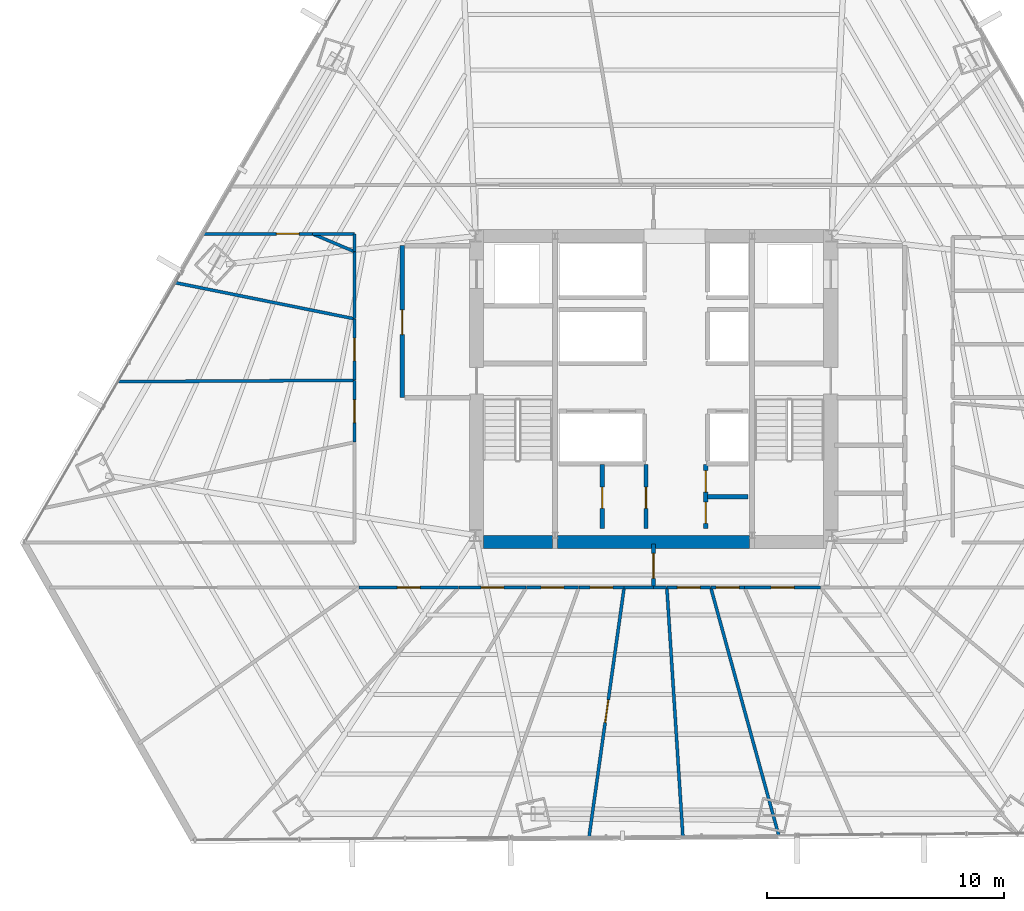
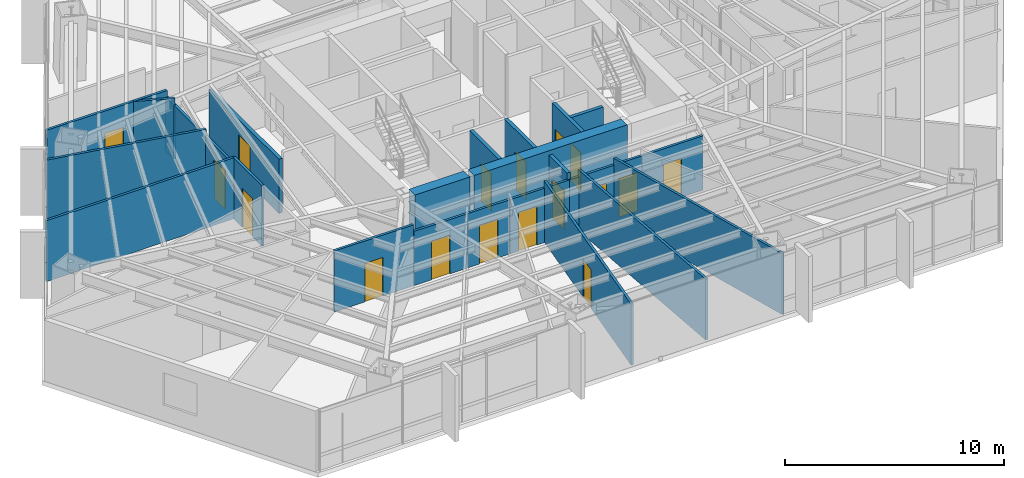
# One storey, part 32 of 38: 29 walls, 17 doors, 17 openings.
"""IFC4 building model written with IfcOpenShell, lengths in metres."""

from ifc_helpers import new_model, si_unit, direction, frame, frame_2d, origin, place, context, subcontext, project, spatial, rectangle, extrude, material, layer, layer_set, type_object, element, fill, save


model = new_model("IFC4")

# Units and contexts
model_context = context("Model", 3, precision=1e-05, world=origin(), true_north=direction((0.0, 1.0)))
body_context = subcontext(model_context, "Body", "Model", "MODEL_VIEW")
ifc_project = project(units=[si_unit("LENGTHUNIT", "METRE"), si_unit("AREAUNIT", "SQUARE_METRE"), si_unit("VOLUMEUNIT", "CUBIC_METRE"), si_unit("PLANEANGLEUNIT", "RADIAN"), si_unit("MASSUNIT", "GRAM", prefix="KILO")], contexts=[model_context])

# Site, building, storey
site_placement = place(None, origin())
site = spatial("IfcSite", under=ifc_project, at=site_placement, CompositionType="ELEMENT")
building_placement = place(site_placement, origin())
building = spatial("IfcBuilding", under=site, at=building_placement, Name="Caelisora Broadcast Tower", CompositionType="ELEMENT")
storey_placement = place(building_placement, frame((0.0, 0.0, 67.75)))
storey = spatial("IfcBuildingStorey", under=building, at=storey_placement, Name="L17", CompositionType="ELEMENT", Elevation=67.75)

# Walls
ifc_material_1 = material(Name="Concrete 65 MPa (AS 3600 S65)", Category="concrete")
ifc_layer_1 = layer(ifc_material_1, 0.550048828125, Name="Concrete 65 MPa (AS 3600 S65)")
ifc_layer_set_1 = layer_set([ifc_layer_1], Name="Concrete 65 MPa (AS 3600 S65)")
wall_type_1 = type_object("IfcWallType", Name="CW4", PredefinedType="SHEAR", material=ifc_layer_set_1)
wall_1_placement = place(storey_placement, frame((30.840087890625, 17.125, 0.0), z_axis=(0.0, 0.0, 1.0), x_axis=(1.0, 0.0, 0.0)))
element("IfcWall", 1, at=wall_1_placement, inside=storey, type_object=wall_type_1, Name="L17 core shear wall CW4", PredefinedType="SHEAR", context=body_context, shape_type="SweptSolid", body=[
    extrude(rectangle(XDim=2.89990234375, YDim=0.550048828125, at=frame_2d((1.449951171875, 0.0))), origin(), (0.0, 0.0, 1.0), 3.64990234375),
])
wall_2_placement = place(storey_placement, frame((33.9599609375, 17.125, 0.0), z_axis=(0.0, 0.0, 1.0), x_axis=(1.0, 0.0, 0.0)))
element("IfcWall", 2, at=wall_2_placement, inside=storey, type_object=wall_type_1, Name="L17 core shear wall CW4", PredefinedType="SHEAR", context=body_context, shape_type="SweptSolid", body=[
    extrude(rectangle(XDim=8.080078125, YDim=0.550048828125, at=frame_2d((4.0400390625, 0.0))), origin(), (0.0, 0.0, 1.0), 3.64990234375),
])

# Wall, opening, door
ifc_material_2 = material(Name="Fire-Rated Gypsum Shaft and Compartment Wall", Category="gypsum")
ifc_layer_2 = layer(ifc_material_2, 0.179931640625, Name="Fire-Rated Gypsum Shaft and Compartment Wall")
ifc_layer_set_2 = layer_set([ifc_layer_2], Name="Fire-Rated Gypsum Shaft and Compartment Wall")
wall_type_2 = type_object("IfcWallType", Name="PW2", PredefinedType="PARTITIONING", material=ifc_layer_set_2)
wall_3_placement = place(storey_placement, frame((27.419921875, 23.199951171875, 0.0), z_axis=(0.0, 0.0, 1.0), x_axis=(0.0, 1.0, 0.0)))
wall_3 = element("IfcWall", 3, at=wall_3_placement, inside=storey, type_object=wall_type_2, Name="L17 fire compartment wall PW2", PredefinedType="PARTITIONING", context=body_context, shape_type="SweptSolid", body=[
    extrude(rectangle(XDim=6.400146484375, YDim=0.179931640625, at=frame_2d((3.2001953125, 0.0))), origin(), (0.0, 0.0, 1.0), 3.0263671875),
])
opening_1_placement = place(wall_3_placement, frame((2.64990234375, 0.0, 0.0)))
opening_1 = element("IfcOpeningElement", 4, at=opening_1_placement, cuts=wall_3, Name="Opening FD02", PredefinedType="OPENING", context=body_context, shape_type="SweptSolid", body=[
    extrude(rectangle(XDim=1.050048828125, YDim=2.14990234375, at=frame_2d((0.52490234375, 1.074951171875))), frame((0.0, 0.10205078125, 0.0), z_axis=(0.0, -1.0, 0.0), x_axis=(1.0, 0.0, 0.0)), (0.0, 0.0, 1.0), 0.203857421875),
])
ifc_material_3 = material(Name="Single-Leaf Steel Fire Lobby Door", Category="steel")
door_type_1 = type_object("IfcDoorType", Name="FD02", OperationType="NOTDEFINED", PredefinedType="DOOR", material=ifc_material_3)
door_1_placement = place(opening_1_placement, origin())
door_1 = element("IfcDoor", 5, at=door_1_placement, inside=storey, type_object=door_type_1, Name="L17 door FD02 (L17-DR-P01D1)", OperationType="SINGLE_SWING_LEFT", OverallHeight=2.14990234375, OverallWidth=1.050048828125, PredefinedType="DOOR", context=body_context, shape_type="SweptSolid", body=[
    extrude(rectangle(XDim=1.050048828125, YDim=2.14990234375, at=frame_2d((0.52490234375, 1.074951171875))), frame((0.0, 0.02490234375, 0.0), z_axis=(0.0, -1.0, 0.0), x_axis=(1.0, 0.0, 0.0)), (0.0, 0.0, 1.0), 0.050048828125),
])
fill(opening_1, door_1)

wall_4_placement = place(storey_placement, frame((35.840087890625, 17.679931640625, 0.0), z_axis=(0.0, 0.0, 1.0), x_axis=(0.0, 1.0, 0.0)))
wall_4 = element("IfcWall", 6, at=wall_4_placement, inside=storey, type_object=wall_type_2, Name="L17 fire compartment wall PW2", PredefinedType="PARTITIONING", context=body_context, shape_type="SweptSolid", body=[
    extrude(rectangle(XDim=2.699951171875, YDim=0.179931640625, at=frame_2d((1.35009765625, 0.0))), origin(), (0.0, 0.0, 1.0), 3.39990234375),
])
opening_2_placement = place(wall_4_placement, frame((0.85009765625, 0.0, 0.0)))
opening_2 = element("IfcOpeningElement", 7, at=opening_2_placement, cuts=wall_4, Name="Opening FD03", PredefinedType="OPENING", context=body_context, shape_type="SweptSolid", body=[
    extrude(rectangle(XDim=0.89990234375, YDim=2.10009765625, at=frame_2d((0.449951171875, 1.050048828125))), frame((0.0, 0.10205078125, 0.0), z_axis=(0.0, -1.0, 0.0), x_axis=(1.0, 0.0, 0.0)), (0.0, 0.0, 1.0), 0.203857421875),
])
ifc_material_4 = material(Name="Single-Leaf Steel Riser Fire Access Door", Category="steel")
door_type_2 = type_object("IfcDoorType", Name="FD03", OperationType="NOTDEFINED", PredefinedType="DOOR", material=ifc_material_4)
door_2_placement = place(opening_2_placement, origin())
door_2 = element("IfcDoor", 8, at=door_2_placement, inside=storey, type_object=door_type_2, Name="L17 door FD03 (L17-DR-P11D1)", OperationType="SINGLE_SWING_LEFT", OverallHeight=2.10009765625, OverallWidth=0.89990234375, PredefinedType="DOOR", context=body_context, shape_type="SweptSolid", body=[
    extrude(rectangle(XDim=0.89990234375, YDim=2.10009765625, at=frame_2d((0.449951171875, 1.050048828125))), frame((0.0, 0.02490234375, 0.0), z_axis=(0.0, -1.0, 0.0), x_axis=(1.0, 0.0, 0.0)), (0.0, 0.0, 1.0), 0.050048828125),
])
fill(opening_2, door_2)

wall_5_placement = place(storey_placement, frame((37.679931640625, 17.679931640625, 0.0), z_axis=(0.0, 0.0, 1.0), x_axis=(0.0, 1.0, 0.0)))
wall_5 = element("IfcWall", 9, at=wall_5_placement, inside=storey, type_object=wall_type_2, Name="L17 fire compartment wall PW2", PredefinedType="PARTITIONING", context=body_context, shape_type="SweptSolid", body=[
    extrude(rectangle(XDim=2.699951171875, YDim=0.179931640625, at=frame_2d((1.35009765625, 0.0))), origin(), (0.0, 0.0, 1.0), 3.39990234375),
])
opening_3_placement = place(wall_5_placement, frame((0.85009765625, 0.0, 0.0)))
opening_3 = element("IfcOpeningElement", 10, at=opening_3_placement, cuts=wall_5, Name="Opening FD03", PredefinedType="OPENING", context=body_context, shape_type="SweptSolid", body=[
    extrude(rectangle(XDim=0.89990234375, YDim=2.10009765625, at=frame_2d((0.449951171875, 1.050048828125))), frame((0.0, 0.10205078125, 0.0), z_axis=(0.0, -1.0, 0.0), x_axis=(1.0, 0.0, 0.0)), (0.0, 0.0, 1.0), 0.203857421875),
])
door_3_placement = place(opening_3_placement, origin())
door_3 = element("IfcDoor", 11, at=door_3_placement, inside=storey, type_object=door_type_2, Name="L17 door FD03 (L17-DR-P12D1)", OperationType="SINGLE_SWING_RIGHT", OverallHeight=2.10009765625, OverallWidth=0.89990234375, PredefinedType="DOOR", context=body_context, shape_type="SweptSolid", body=[
    extrude(rectangle(XDim=0.89990234375, YDim=2.10009765625, at=frame_2d((0.449951171875, 1.050048828125))), frame((0.0, 0.02490234375, 0.0), z_axis=(0.0, -1.0, 0.0), x_axis=(1.0, 0.0, 0.0)), (0.0, 0.0, 1.0), 0.050048828125),
])
fill(opening_3, door_3)

# Wall
wall_6_placement = place(storey_placement, frame((40.280029296875, 19.02001953125, 0.0), z_axis=(0.0, 0.0, 1.0), x_axis=(1.0, 0.0, 0.0)))
element("IfcWall", 12, at=wall_6_placement, inside=storey, type_object=wall_type_2, Name="L17 fire compartment wall PW2", PredefinedType="PARTITIONING", context=body_context, shape_type="SweptSolid", body=[
    extrude(rectangle(XDim=1.699951171875, YDim=0.179931640625, at=frame_2d((0.85009765625, 0.0))), origin(), (0.0, 0.0, 1.0), 3.39990234375),
])

# Wall, openings, doors
wall_7_placement = place(storey_placement, frame((40.199951171875, 17.679931640625, 0.0), z_axis=(0.0, 0.0, 1.0), x_axis=(0.0, 1.0, 0.0)))
wall_7 = element("IfcWall", 13, at=wall_7_placement, inside=storey, type_object=wall_type_2, Name="L17 fire compartment wall PW2", PredefinedType="PARTITIONING", context=body_context, shape_type="SweptSolid", body=[
    extrude(rectangle(XDim=2.699951171875, YDim=0.179931640625, at=frame_2d((1.35009765625, 0.0))), origin(), (0.0, 0.0, 1.0), 3.39990234375),
])
opening_4_placement = place(wall_7_placement, frame((0.219970703125, 0.0, 0.0)))
opening_4 = element("IfcOpeningElement", 14, at=opening_4_placement, cuts=wall_7, Name="Opening FD03", PredefinedType="OPENING", context=body_context, shape_type="SweptSolid", body=[
    extrude(rectangle(XDim=0.89990234375, YDim=2.10009765625, at=frame_2d((0.449951171875, 1.050048828125))), frame((0.0, 0.10205078125, 0.0), z_axis=(0.0, -1.0, 0.0), x_axis=(1.0, 0.0, 0.0)), (0.0, 0.0, 1.0), 0.203857421875),
])
opening_5_placement = place(wall_7_placement, frame((1.5400390625, 0.0, 0.0)))
opening_5 = element("IfcOpeningElement", 15, at=opening_5_placement, cuts=wall_7, Name="Opening FD03", PredefinedType="OPENING", context=body_context, shape_type="SweptSolid", body=[
    extrude(rectangle(XDim=0.89990234375, YDim=2.10009765625, at=frame_2d((0.449951171875, 1.050048828125))), frame((0.0, 0.10205078125, 0.0), z_axis=(0.0, -1.0, 0.0), x_axis=(1.0, 0.0, 0.0)), (0.0, 0.0, 1.0), 0.203857421875),
])
door_4_placement = place(opening_4_placement, origin())
door_4 = element("IfcDoor", 16, at=door_4_placement, inside=storey, type_object=door_type_2, Name="L17 door FD03 (L17-DR-P14D1)", OperationType="SINGLE_SWING_LEFT", OverallHeight=2.10009765625, OverallWidth=0.89990234375, PredefinedType="DOOR", context=body_context, shape_type="SweptSolid", body=[
    extrude(rectangle(XDim=0.89990234375, YDim=2.10009765625, at=frame_2d((0.449951171875, 1.050048828125))), frame((0.0, 0.02490234375, 0.0), z_axis=(0.0, -1.0, 0.0), x_axis=(1.0, 0.0, 0.0)), (0.0, 0.0, 1.0), 0.050048828125),
])
fill(opening_4, door_4)
door_5_placement = place(opening_5_placement, origin())
door_5 = element("IfcDoor", 17, at=door_5_placement, inside=storey, type_object=door_type_2, Name="L17 door FD03 (L17-DR-P14D2)", OperationType="SINGLE_SWING_RIGHT", OverallHeight=2.10009765625, OverallWidth=0.89990234375, PredefinedType="DOOR", context=body_context, shape_type="SweptSolid", body=[
    extrude(rectangle(XDim=0.89990234375, YDim=2.10009765625, at=frame_2d((0.449951171875, 1.050048828125))), frame((0.0, 0.02490234375, 0.0), z_axis=(0.0, -1.0, 0.0), x_axis=(1.0, 0.0, 0.0)), (0.0, 0.0, 1.0), 0.050048828125),
])
fill(opening_5, door_5)

# Wall, opening, door
wall_8_placement = place(storey_placement, frame((38.0, 15.205078125, 0.0), z_axis=(0.0, 0.0, 1.0), x_axis=(0.0, 1.0, 0.0)))
wall_8 = element("IfcWall", 18, at=wall_8_placement, inside=storey, type_object=wall_type_2, Name="L17 fire compartment wall PW2", PredefinedType="PARTITIONING", context=body_context, shape_type="SweptSolid", body=[
    extrude(rectangle(XDim=1.81982421875, YDim=0.179931640625, at=frame_2d((0.909912109375, 0.0))), origin(), (0.0, 0.0, 1.0), 3.39990234375),
])
opening_6_placement = place(wall_8_placement, frame((0.385009765625, 0.0, 0.0)))
opening_6 = element("IfcOpeningElement", 19, at=opening_6_placement, cuts=wall_8, Name="Opening FD02", PredefinedType="OPENING", context=body_context, shape_type="SweptSolid", body=[
    extrude(rectangle(XDim=1.050048828125, YDim=2.14990234375, at=frame_2d((0.52490234375, 1.074951171875))), frame((0.0, 0.10205078125, 0.0), z_axis=(0.0, -1.0, 0.0), x_axis=(1.0, 0.0, 0.0)), (0.0, 0.0, 1.0), 0.203857421875),
])
door_6_placement = place(opening_6_placement, origin())
door_6 = element("IfcDoor", 20, at=door_6_placement, inside=storey, type_object=door_type_1, Name="L17 door FD02 (L17-DR-P73D1)", OperationType="SINGLE_SWING_LEFT", OverallHeight=2.14990234375, OverallWidth=1.050048828125, PredefinedType="DOOR", context=body_context, shape_type="SweptSolid", body=[
    extrude(rectangle(XDim=1.050048828125, YDim=2.14990234375, at=frame_2d((0.52490234375, 1.074951171875))), frame((0.0, 0.02490234375, 0.0), z_axis=(0.0, -1.0, 0.0), x_axis=(1.0, 0.0, 0.0)), (0.0, 0.0, 1.0), 0.050048828125),
])
fill(opening_6, door_6)

# Wall
ifc_material_5 = material(Name="Acoustic Steel-Stud Plasterboard Partition", Category="gypsum")
ifc_layer_3 = layer(ifc_material_5, 0.1298828125, Name="Acoustic Steel-Stud Plasterboard Partition")
ifc_layer_set_3 = layer_set([ifc_layer_3], Name="Acoustic Steel-Stud Plasterboard Partition")
wall_type_3 = type_object("IfcWallType", Name="PW3", PredefinedType="PARTITIONING", material=ifc_layer_set_3)
wall_9_placement = place(storey_placement, frame((40.410888671875, 15.195068359375, 0.0), z_axis=(0.0, 0.0, 1.0), x_axis=(0.264464817882, -0.964395333928, 0.0)))
element("IfcWall", 21, at=wall_9_placement, inside=storey, type_object=wall_type_3, Name="L17 internal partition PW3", PredefinedType="PARTITIONING", context=body_context, shape_type="SweptSolid", body=[
    extrude(rectangle(XDim=10.822021484375, YDim=0.1298828125, at=frame_2d((5.4111328125, 0.0))), origin(), (0.0, 0.0, 1.0), 3.39990234375),
])

# Wall, opening, door
wall_10_placement = place(storey_placement, frame((35.283203125, 4.694091796875, 0.0), z_axis=(0.0, 0.0, 1.0), x_axis=(0.139174401804, 0.990267885919, 0.0)))
wall_10 = element("IfcWall", 22, at=wall_10_placement, inside=storey, type_object=wall_type_3, Name="L17 internal partition PW3", PredefinedType="PARTITIONING", context=body_context, shape_type="SweptSolid", body=[
    extrude(rectangle(XDim=10.604248046875, YDim=0.1298828125, at=frame_2d((5.30224609375, 0.0))), origin(), (0.0, 0.0, 1.0), 3.39990234375),
])
opening_7_placement = place(wall_10_placement, frame((4.8701171875, 0.0, 0.0)))
opening_7 = element("IfcOpeningElement", 23, at=opening_7_placement, cuts=wall_10, Name="Opening D01", PredefinedType="OPENING", context=body_context, shape_type="SweptSolid", body=[
    extrude(rectangle(XDim=0.9599609375, YDim=2.14990234375, at=frame_2d((0.47998046875, 1.074951171875))), frame((0.0, 0.076904296875, 0.0), z_axis=(0.0, -1.0, 0.0), x_axis=(1.0, 0.0, 0.0)), (0.0, 0.0, 1.0), 0.15380859375),
])
ifc_material_6 = material(Name="Solid-Core Timber Acoustic Office Door", Category="wood")
door_type_3 = type_object("IfcDoorType", Name="D01", OperationType="NOTDEFINED", PredefinedType="DOOR", material=ifc_material_6)
door_7_placement = place(opening_7_placement, origin())
door_7 = element("IfcDoor", 24, at=door_7_placement, inside=storey, type_object=door_type_3, Name="L17 door D01 (L17-DR-P47D1)", OperationType="SINGLE_SWING_RIGHT", OverallHeight=2.14990234375, OverallWidth=0.9599609375, PredefinedType="DOOR", context=body_context, shape_type="SweptSolid", body=[
    extrude(rectangle(XDim=0.9599609375, YDim=2.14990234375, at=frame_2d((0.47998046875, 1.074951171875))), frame((0.0, 0.02490234375, 0.0), z_axis=(0.0, -1.0, 0.0), x_axis=(1.0, 0.0, 0.0)), (0.0, 0.0, 1.0), 0.050048828125),
])
fill(opening_7, door_7)

# Walls
wall_11_placement = place(storey_placement, frame((38.56005859375, 15.195068359375, 0.0), z_axis=(0.0, 0.0, 1.0), x_axis=(0.064229769526, -0.997935136523, 0.0)))
element("IfcWall", 25, at=wall_11_placement, inside=storey, type_object=wall_type_3, Name="L17 internal partition PW3", PredefinedType="PARTITIONING", context=body_context, shape_type="SweptSolid", body=[
    extrude(rectangle(XDim=10.490966796875, YDim=0.1298828125, at=frame_2d((5.24560546875, 0.0))), origin(), (0.0, 0.0, 1.0), 3.39990234375),
])
wall_12_placement = place(storey_placement, frame((15.430908203125, 23.87060546875, 0.0), z_axis=(0.0, 0.0, 1.0), x_axis=(0.999982275501, 0.005953879718, 0.0)))
element("IfcWall", 26, at=wall_12_placement, inside=storey, type_object=wall_type_3, Name="L17 internal partition PW3", PredefinedType="PARTITIONING", context=body_context, shape_type="SweptSolid", body=[
    extrude(rectangle(XDim=9.96435546875, YDim=0.1298828125, at=frame_2d((4.982177734375, 0.0))), origin(), (0.0, 0.0, 1.0), 3.39990234375),
])
wall_13_placement = place(storey_placement, frame((17.85693359375, 28.040283203125, 0.0), z_axis=(0.0, 0.0, 1.0), x_axis=(0.980287741663, -0.19757515923, 0.0)))
element("IfcWall", 27, at=wall_13_placement, inside=storey, type_object=wall_type_3, Name="L17 internal partition PW3", PredefinedType="PARTITIONING", context=body_context, shape_type="SweptSolid", body=[
    extrude(rectangle(XDim=7.689697265625, YDim=0.1298828125, at=frame_2d((3.8447265625, 0.0))), origin(), (0.0, 0.0, 1.0), 3.39990234375),
])

# Wall, opening, door
wall_14_placement = place(storey_placement, frame((19.055419921875, 30.10009765625, 0.0), z_axis=(0.0, 0.0, 1.0), x_axis=(1.0, 0.0, 0.0)))
wall_14 = element("IfcWall", 28, at=wall_14_placement, inside=storey, type_object=wall_type_3, Name="L17 internal partition PW3", PredefinedType="PARTITIONING", context=body_context, shape_type="SweptSolid", body=[
    extrude(rectangle(XDim=4.569580078125, YDim=0.1298828125, at=frame_2d((2.28466796875, 0.0))), origin(), (0.0, 0.0, 1.0), 3.39990234375),
])
opening_8_placement = place(wall_14_placement, frame((3.06005859375, 0.0, 0.0)))
opening_8 = element("IfcOpeningElement", 29, at=opening_8_placement, cuts=wall_14, Name="Opening D01", PredefinedType="OPENING", context=body_context, shape_type="SweptSolid", body=[
    extrude(rectangle(XDim=0.9599609375, YDim=2.14990234375, at=frame_2d((0.47998046875, 1.074951171875))), frame((0.0, 0.076904296875, 0.0), z_axis=(0.0, -1.0, 0.0), x_axis=(1.0, 0.0, 0.0)), (0.0, 0.0, 1.0), 0.15380859375),
])
door_8_placement = place(opening_8_placement, origin())
door_8 = element("IfcDoor", 30, at=door_8_placement, inside=storey, type_object=door_type_3, Name="L17 door D01 (L17-DR-P57D1)", OperationType="SINGLE_SWING_LEFT", OverallHeight=2.14990234375, OverallWidth=0.9599609375, PredefinedType="DOOR", context=body_context, shape_type="SweptSolid", body=[
    extrude(rectangle(XDim=0.9599609375, YDim=2.14990234375, at=frame_2d((0.47998046875, 1.074951171875))), frame((0.0, 0.02490234375, 0.0), z_axis=(0.0, -1.0, 0.0), x_axis=(1.0, 0.0, 0.0)), (0.0, 0.0, 1.0), 0.050048828125),
])
fill(opening_8, door_8)

wall_15_placement = place(storey_placement, frame((25.594970703125, 15.199951171875, 0.0), z_axis=(0.0, 0.0, 1.0), x_axis=(1.0, 0.0, 0.0)))
wall_15 = element("IfcWall", 31, at=wall_15_placement, inside=storey, type_object=wall_type_3, Name="L17 internal partition PW3", PredefinedType="PARTITIONING", context=body_context, shape_type="SweptSolid", body=[
    extrude(rectangle(XDim=4.18994140625, YDim=0.1298828125, at=frame_2d((2.094970703125, 0.0))), origin(), (0.0, 0.0, 1.0), 3.39990234375),
])
opening_9_placement = place(wall_15_placement, frame((1.614990234375, 0.0, 0.0)))
opening_9 = element("IfcOpeningElement", 32, at=opening_9_placement, cuts=wall_15, Name="Opening D01", PredefinedType="OPENING", context=body_context, shape_type="SweptSolid", body=[
    extrude(rectangle(XDim=0.9599609375, YDim=2.14990234375, at=frame_2d((0.47998046875, 1.074951171875))), frame((0.0, 0.076904296875, 0.0), z_axis=(0.0, -1.0, 0.0), x_axis=(1.0, 0.0, 0.0)), (0.0, 0.0, 1.0), 0.15380859375),
])
door_9_placement = place(opening_9_placement, origin())
door_9 = element("IfcDoor", 33, at=door_9_placement, inside=storey, type_object=door_type_3, Name="L17 door D01 (L17-DR-P59D1)", OperationType="SINGLE_SWING_RIGHT", OverallHeight=2.14990234375, OverallWidth=0.9599609375, PredefinedType="DOOR", context=body_context, shape_type="SweptSolid", body=[
    extrude(rectangle(XDim=0.9599609375, YDim=2.14990234375, at=frame_2d((0.47998046875, 1.074951171875))), frame((0.0, 0.02490234375, 0.0), z_axis=(0.0, -1.0, 0.0), x_axis=(1.0, 0.0, 0.0)), (0.0, 0.0, 1.0), 0.050048828125),
])
fill(opening_9, door_9)

wall_16_placement = place(storey_placement, frame((41.8349609375, 15.199951171875, 0.0), z_axis=(0.0, 0.0, 1.0), x_axis=(1.0, 0.0, 0.0)))
wall_16 = element("IfcWall", 34, at=wall_16_placement, inside=storey, type_object=wall_type_3, Name="L17 internal partition PW3", PredefinedType="PARTITIONING", context=body_context, shape_type="SweptSolid", body=[
    extrude(rectangle(XDim=3.199951171875, YDim=0.1298828125, at=frame_2d((1.60009765625, 0.0))), origin(), (0.0, 0.0, 1.0), 3.0263671875),
])
opening_10_placement = place(wall_16_placement, frame((1.1201171875, 0.0, 0.0)))
opening_10 = element("IfcOpeningElement", 35, at=opening_10_placement, cuts=wall_16, Name="Opening D01", PredefinedType="OPENING", context=body_context, shape_type="SweptSolid", body=[
    extrude(rectangle(XDim=0.9599609375, YDim=2.14990234375, at=frame_2d((0.47998046875, 1.074951171875))), frame((0.0, 0.076904296875, 0.0), z_axis=(0.0, -1.0, 0.0), x_axis=(1.0, 0.0, 0.0)), (0.0, 0.0, 1.0), 0.15380859375),
])
door_10_placement = place(opening_10_placement, origin())
door_10 = element("IfcDoor", 36, at=door_10_placement, inside=storey, type_object=door_type_3, Name="L17 door D01 (L17-DR-P62D1)", OperationType="SINGLE_SWING_RIGHT", OverallHeight=2.14990234375, OverallWidth=0.9599609375, PredefinedType="DOOR", context=body_context, shape_type="SweptSolid", body=[
    extrude(rectangle(XDim=0.9599609375, YDim=2.14990234375, at=frame_2d((0.47998046875, 1.074951171875))), frame((0.0, 0.02490234375, 0.0), z_axis=(0.0, -1.0, 0.0), x_axis=(1.0, 0.0, 0.0)), (0.0, 0.0, 1.0), 0.050048828125),
])
fill(opening_10, door_10)

wall_17_placement = place(storey_placement, frame((29.794921875, 15.199951171875, 0.0), z_axis=(0.0, 0.0, 1.0), x_axis=(1.0, 0.0, 0.0)))
wall_17 = element("IfcWall", 37, at=wall_17_placement, inside=storey, type_object=wall_type_3, Name="L17 internal partition PW3", PredefinedType="PARTITIONING", context=body_context, shape_type="SweptSolid", body=[
    extrude(rectangle(XDim=2.840087890625, YDim=0.1298828125, at=frame_2d((1.419921875, 0.0))), origin(), (0.0, 0.0, 1.0), 3.0263671875),
])
opening_11_placement = place(wall_17_placement, frame((0.93994140625, 0.0, 0.0)))
opening_11 = element("IfcOpeningElement", 38, at=opening_11_placement, cuts=wall_17, Name="Opening D01", PredefinedType="OPENING", context=body_context, shape_type="SweptSolid", body=[
    extrude(rectangle(XDim=0.9599609375, YDim=2.14990234375, at=frame_2d((0.47998046875, 1.074951171875))), frame((0.0, 0.076904296875, 0.0), z_axis=(0.0, -1.0, 0.0), x_axis=(1.0, 0.0, 0.0)), (0.0, 0.0, 1.0), 0.15380859375),
])
door_11_placement = place(opening_11_placement, origin())
door_11 = element("IfcDoor", 39, at=door_11_placement, inside=storey, type_object=door_type_3, Name="L17 door D01 (L17-DR-P64D1)", OperationType="SINGLE_SWING_LEFT", OverallHeight=2.14990234375, OverallWidth=0.9599609375, PredefinedType="DOOR", context=body_context, shape_type="SweptSolid", body=[
    extrude(rectangle(XDim=0.9599609375, YDim=2.14990234375, at=frame_2d((0.47998046875, 1.074951171875))), frame((0.0, 0.02490234375, 0.0), z_axis=(0.0, -1.0, 0.0), x_axis=(1.0, 0.0, 0.0)), (0.0, 0.0, 1.0), 0.050048828125),
])
fill(opening_11, door_11)

# Wall
wall_18_placement = place(storey_placement, frame((25.39990234375, 26.52490234375, 0.0), z_axis=(0.0, 0.0, 1.0), x_axis=(0.0, 1.0, 0.0)))
element("IfcWall", 40, at=wall_18_placement, inside=storey, type_object=wall_type_3, Name="L17 internal partition PW3", PredefinedType="PARTITIONING", context=body_context, shape_type="SweptSolid", body=[
    extrude(rectangle(XDim=2.820068359375, YDim=0.1298828125, at=frame_2d((1.41015625, 0.0))), origin(), (0.0, 0.0, 1.0), 3.0263671875),
])

# Wall, opening, door
wall_19_placement = place(storey_placement, frame((25.39990234375, 21.324951171875, 0.0), z_axis=(0.0, 0.0, 1.0), x_axis=(0.0, 1.0, 0.0)))
wall_19 = element("IfcWall", 41, at=wall_19_placement, inside=storey, type_object=wall_type_3, Name="L17 internal partition PW3", PredefinedType="PARTITIONING", context=body_context, shape_type="SweptSolid", body=[
    extrude(rectangle(XDim=2.60009765625, YDim=0.1298828125, at=frame_2d((1.300048828125, 0.0))), origin(), (0.0, 0.0, 1.0), 3.39990234375),
])
opening_12_placement = place(wall_19_placement, frame((0.820068359375, 0.0, 0.0)))
opening_12 = element("IfcOpeningElement", 42, at=opening_12_placement, cuts=wall_19, Name="Opening D01", PredefinedType="OPENING", context=body_context, shape_type="SweptSolid", body=[
    extrude(rectangle(XDim=0.9599609375, YDim=2.14990234375, at=frame_2d((0.47998046875, 1.074951171875))), frame((0.0, 0.076904296875, 0.0), z_axis=(0.0, -1.0, 0.0), x_axis=(1.0, 0.0, 0.0)), (0.0, 0.0, 1.0), 0.15380859375),
])
door_12_placement = place(opening_12_placement, origin())
door_12 = element("IfcDoor", 43, at=door_12_placement, inside=storey, type_object=door_type_3, Name="L17 door D01 (L17-DR-P67D1)", OperationType="SINGLE_SWING_LEFT", OverallHeight=2.14990234375, OverallWidth=0.9599609375, PredefinedType="DOOR", context=body_context, shape_type="SweptSolid", body=[
    extrude(rectangle(XDim=0.9599609375, YDim=2.14990234375, at=frame_2d((0.47998046875, 1.074951171875))), frame((0.0, 0.02490234375, 0.0), z_axis=(0.0, -1.0, 0.0), x_axis=(1.0, 0.0, 0.0)), (0.0, 0.0, 1.0), 0.050048828125),
])
fill(opening_12, door_12)

wall_20_placement = place(storey_placement, frame((25.39990234375, 23.93505859375, 0.0), z_axis=(0.0, 0.0, 1.0), x_axis=(0.0, 1.0, 0.0)))
wall_20 = element("IfcWall", 44, at=wall_20_placement, inside=storey, type_object=wall_type_3, Name="L17 internal partition PW3", PredefinedType="PARTITIONING", context=body_context, shape_type="SweptSolid", body=[
    extrude(rectangle(XDim=2.579833984375, YDim=0.1298828125, at=frame_2d((1.2900390625, 0.0))), origin(), (0.0, 0.0, 1.0), 3.0263671875),
])
opening_13_placement = place(wall_20_placement, frame((0.81005859375, 0.0, 0.0)))
opening_13 = element("IfcOpeningElement", 45, at=opening_13_placement, cuts=wall_20, Name="Opening D01", PredefinedType="OPENING", context=body_context, shape_type="SweptSolid", body=[
    extrude(rectangle(XDim=0.9599609375, YDim=2.14990234375, at=frame_2d((0.47998046875, 1.074951171875))), frame((0.0, 0.076904296875, 0.0), z_axis=(0.0, -1.0, 0.0), x_axis=(1.0, 0.0, 0.0)), (0.0, 0.0, 1.0), 0.15380859375),
])
door_13_placement = place(opening_13_placement, origin())
door_13 = element("IfcDoor", 46, at=door_13_placement, inside=storey, type_object=door_type_3, Name="L17 door D01 (L17-DR-P68D1)", OperationType="SINGLE_SWING_RIGHT", OverallHeight=2.14990234375, OverallWidth=0.9599609375, PredefinedType="DOOR", context=body_context, shape_type="SweptSolid", body=[
    extrude(rectangle(XDim=0.9599609375, YDim=2.14990234375, at=frame_2d((0.47998046875, 1.074951171875))), frame((0.0, 0.02490234375, 0.0), z_axis=(0.0, -1.0, 0.0), x_axis=(1.0, 0.0, 0.0)), (0.0, 0.0, 1.0), 0.050048828125),
])
fill(opening_13, door_13)

wall_21_placement = place(storey_placement, frame((32.64501953125, 15.199951171875, 0.0), z_axis=(0.0, 0.0, 1.0), x_axis=(1.0, 0.0, 0.0)))
wall_21 = element("IfcWall", 47, at=wall_21_placement, inside=storey, type_object=wall_type_3, Name="L17 internal partition PW3", PredefinedType="PARTITIONING", context=body_context, shape_type="SweptSolid", body=[
    extrude(rectangle(XDim=2.199951171875, YDim=0.1298828125, at=frame_2d((1.10009765625, 0.0))), origin(), (0.0, 0.0, 1.0), 3.0263671875),
])
opening_14_placement = place(wall_21_placement, frame((0.6201171875, 0.0, 0.0)))
opening_14 = element("IfcOpeningElement", 48, at=opening_14_placement, cuts=wall_21, Name="Opening D01", PredefinedType="OPENING", context=body_context, shape_type="SweptSolid", body=[
    extrude(rectangle(XDim=0.9599609375, YDim=2.14990234375, at=frame_2d((0.47998046875, 1.074951171875))), frame((0.0, 0.076904296875, 0.0), z_axis=(0.0, -1.0, 0.0), x_axis=(1.0, 0.0, 0.0)), (0.0, 0.0, 1.0), 0.15380859375),
])
door_14_placement = place(opening_14_placement, origin())
door_14 = element("IfcDoor", 49, at=door_14_placement, inside=storey, type_object=door_type_3, Name="L17 door D01 (L17-DR-P70D1)", OperationType="SINGLE_SWING_LEFT", OverallHeight=2.14990234375, OverallWidth=0.9599609375, PredefinedType="DOOR", context=body_context, shape_type="SweptSolid", body=[
    extrude(rectangle(XDim=0.9599609375, YDim=2.14990234375, at=frame_2d((0.47998046875, 1.074951171875))), frame((0.0, 0.02490234375, 0.0), z_axis=(0.0, -1.0, 0.0), x_axis=(1.0, 0.0, 0.0)), (0.0, 0.0, 1.0), 0.050048828125),
])
fill(opening_14, door_14)

# Wall
wall_22_placement = place(storey_placement, frame((23.635009765625, 30.097900390625, 0.0), z_axis=(0.0, 0.0, 1.0), x_axis=(0.920736167048, -0.390185738706, 0.0)))
element("IfcWall", 50, at=wall_22_placement, inside=storey, type_object=wall_type_3, Name="L17 internal partition PW3", PredefinedType="PARTITIONING", context=body_context, shape_type="SweptSolid", body=[
    extrude(rectangle(XDim=1.91162109375, YDim=0.1298828125, at=frame_2d((0.955810546875, 0.0))), origin(), (0.0, 0.0, 1.0), 3.39990234375),
])

# Wall, opening, door
wall_23_placement = place(storey_placement, frame((34.85498046875, 15.199951171875, 0.0), z_axis=(0.0, 0.0, 1.0), x_axis=(1.0, 0.0, 0.0)))
wall_23 = element("IfcWall", 51, at=wall_23_placement, inside=storey, type_object=wall_type_3, Name="L17 internal partition PW3", PredefinedType="PARTITIONING", context=body_context, shape_type="SweptSolid", body=[
    extrude(rectangle(XDim=1.89990234375, YDim=0.1298828125, at=frame_2d((0.949951171875, 0.0))), origin(), (0.0, 0.0, 1.0), 3.0263671875),
])
opening_15_placement = place(wall_23_placement, frame((0.469970703125, 0.0, 0.0)))
opening_15 = element("IfcOpeningElement", 52, at=opening_15_placement, cuts=wall_23, Name="Opening D01", PredefinedType="OPENING", context=body_context, shape_type="SweptSolid", body=[
    extrude(rectangle(XDim=0.9599609375, YDim=2.14990234375, at=frame_2d((0.47998046875, 1.074951171875))), frame((0.0, 0.076904296875, 0.0), z_axis=(0.0, -1.0, 0.0), x_axis=(1.0, 0.0, 0.0)), (0.0, 0.0, 1.0), 0.15380859375),
])
door_15_placement = place(opening_15_placement, origin())
door_15 = element("IfcDoor", 53, at=door_15_placement, inside=storey, type_object=door_type_3, Name="L17 door D01 (L17-DR-P72D1)", OperationType="SINGLE_SWING_RIGHT", OverallHeight=2.14990234375, OverallWidth=0.9599609375, PredefinedType="DOOR", context=body_context, shape_type="SweptSolid", body=[
    extrude(rectangle(XDim=0.9599609375, YDim=2.14990234375, at=frame_2d((0.47998046875, 1.074951171875))), frame((0.0, 0.02490234375, 0.0), z_axis=(0.0, -1.0, 0.0), x_axis=(1.0, 0.0, 0.0)), (0.0, 0.0, 1.0), 0.050048828125),
])
fill(opening_15, door_15)

wall_24_placement = place(storey_placement, frame((38.56494140625, 15.199951171875, 0.0), z_axis=(0.0, 0.0, 1.0), x_axis=(1.0, 0.0, 0.0)))
wall_24 = element("IfcWall", 54, at=wall_24_placement, inside=storey, type_object=wall_type_3, Name="L17 internal partition PW3", PredefinedType="PARTITIONING", context=body_context, shape_type="SweptSolid", body=[
    extrude(rectangle(XDim=1.840087890625, YDim=0.1298828125, at=frame_2d((0.919921875, 0.0))), origin(), (0.0, 0.0, 1.0), 3.0263671875),
])
opening_16_placement = place(wall_24_placement, frame((0.43994140625, 0.0, 0.0)))
opening_16 = element("IfcOpeningElement", 55, at=opening_16_placement, cuts=wall_24, Name="Opening D01", PredefinedType="OPENING", context=body_context, shape_type="SweptSolid", body=[
    extrude(rectangle(XDim=0.9599609375, YDim=2.14990234375, at=frame_2d((0.47998046875, 1.074951171875))), frame((0.0, 0.076904296875, 0.0), z_axis=(0.0, -1.0, 0.0), x_axis=(1.0, 0.0, 0.0)), (0.0, 0.0, 1.0), 0.15380859375),
])
door_16_placement = place(opening_16_placement, origin())
door_16 = element("IfcDoor", 56, at=door_16_placement, inside=storey, type_object=door_type_3, Name="L17 door D01 (L17-DR-P75D1)", OperationType="SINGLE_SWING_LEFT", OverallHeight=2.14990234375, OverallWidth=0.9599609375, PredefinedType="DOOR", context=body_context, shape_type="SweptSolid", body=[
    extrude(rectangle(XDim=0.9599609375, YDim=2.14990234375, at=frame_2d((0.47998046875, 1.074951171875))), frame((0.0, 0.02490234375, 0.0), z_axis=(0.0, -1.0, 0.0), x_axis=(1.0, 0.0, 0.0)), (0.0, 0.0, 1.0), 0.050048828125),
])
fill(opening_16, door_16)

# Wall
wall_25_placement = place(storey_placement, frame((25.39501953125, 30.10009765625, 0.0), z_axis=(0.0, 0.0, 1.0), x_axis=(-1.0, 0.0, 0.0)))
element("IfcWall", 57, at=wall_25_placement, inside=storey, type_object=wall_type_3, Name="L17 internal partition PW3", PredefinedType="PARTITIONING", context=body_context, shape_type="SweptSolid", body=[
    extrude(rectangle(XDim=1.760009765625, YDim=0.1298828125, at=frame_2d((0.8798828125, 0.0))), origin(), (0.0, 0.0, 1.0), 3.39990234375),
])

# Wall, opening, door
wall_26_placement = place(storey_placement, frame((40.4150390625, 15.199951171875, 0.0), z_axis=(0.0, 0.0, 1.0), x_axis=(1.0, 0.0, 0.0)))
wall_26 = element("IfcWall", 58, at=wall_26_placement, inside=storey, type_object=wall_type_3, Name="L17 internal partition PW3", PredefinedType="PARTITIONING", context=body_context, shape_type="SweptSolid", body=[
    extrude(rectangle(XDim=1.409912109375, YDim=0.1298828125, at=frame_2d((0.705078125, 0.0))), origin(), (0.0, 0.0, 1.0), 3.0263671875),
])
opening_17_placement = place(wall_26_placement, frame((0.22509765625, 0.0, 0.0)))
opening_17 = element("IfcOpeningElement", 59, at=opening_17_placement, cuts=wall_26, Name="Opening D01", PredefinedType="OPENING", context=body_context, shape_type="SweptSolid", body=[
    extrude(rectangle(XDim=0.9599609375, YDim=2.14990234375, at=frame_2d((0.47998046875, 1.074951171875))), frame((0.0, 0.076904296875, 0.0), z_axis=(0.0, -1.0, 0.0), x_axis=(1.0, 0.0, 0.0)), (0.0, 0.0, 1.0), 0.15380859375),
])
door_17_placement = place(opening_17_placement, origin())
door_17 = element("IfcDoor", 60, at=door_17_placement, inside=storey, type_object=door_type_3, Name="L17 door D01 (L17-DR-P77D1)", OperationType="SINGLE_SWING_RIGHT", OverallHeight=2.14990234375, OverallWidth=0.9599609375, PredefinedType="DOOR", context=body_context, shape_type="SweptSolid", body=[
    extrude(rectangle(XDim=0.9599609375, YDim=2.14990234375, at=frame_2d((0.47998046875, 1.074951171875))), frame((0.0, 0.02490234375, 0.0), z_axis=(0.0, -1.0, 0.0), x_axis=(1.0, 0.0, 0.0)), (0.0, 0.0, 1.0), 0.050048828125),
])
fill(opening_17, door_17)

# Walls
wall_27_placement = place(storey_placement, frame((36.764892578125, 15.199951171875, 0.0), z_axis=(0.0, 0.0, 1.0), x_axis=(1.0, 0.0, 0.0)))
element("IfcWall", 61, at=wall_27_placement, inside=storey, type_object=wall_type_3, Name="L17 internal partition PW3", PredefinedType="PARTITIONING", context=body_context, shape_type="SweptSolid", body=[
    extrude(rectangle(XDim=1.230224609375, YDim=0.1298828125, at=frame_2d((0.615234375, 0.0))), origin(), (0.0, 0.0, 1.0), 3.0263671875),
])
wall_28_placement = place(storey_placement, frame((25.39990234375, 29.35498046875, 0.0), z_axis=(0.0, 0.0, 1.0), x_axis=(0.0, 1.0, 0.0)))
element("IfcWall", 62, at=wall_28_placement, inside=storey, type_object=wall_type_3, Name="L17 internal partition PW3", PredefinedType="PARTITIONING", context=body_context, shape_type="SweptSolid", body=[
    extrude(rectangle(XDim=0.739990234375, YDim=0.1298828125, at=frame_2d((0.3701171875, 0.0))), origin(), (0.0, 0.0, 1.0), 3.0263671875),
])
wall_29_placement = place(storey_placement, frame((38.0048828125, 15.199951171875, 0.0), z_axis=(0.0, 0.0, 1.0), x_axis=(1.0, 0.0, 0.0)))
element("IfcWall", 63, at=wall_29_placement, inside=storey, type_object=wall_type_3, Name="L17 internal partition PW3", PredefinedType="PARTITIONING", context=body_context, shape_type="SweptSolid", body=[
    extrude(rectangle(XDim=0.550048828125, YDim=0.1298828125, at=frame_2d((0.27490234375, 0.0))), origin(), (0.0, 0.0, 1.0), 3.0263671875),
])

save(model, "model.ifc")
